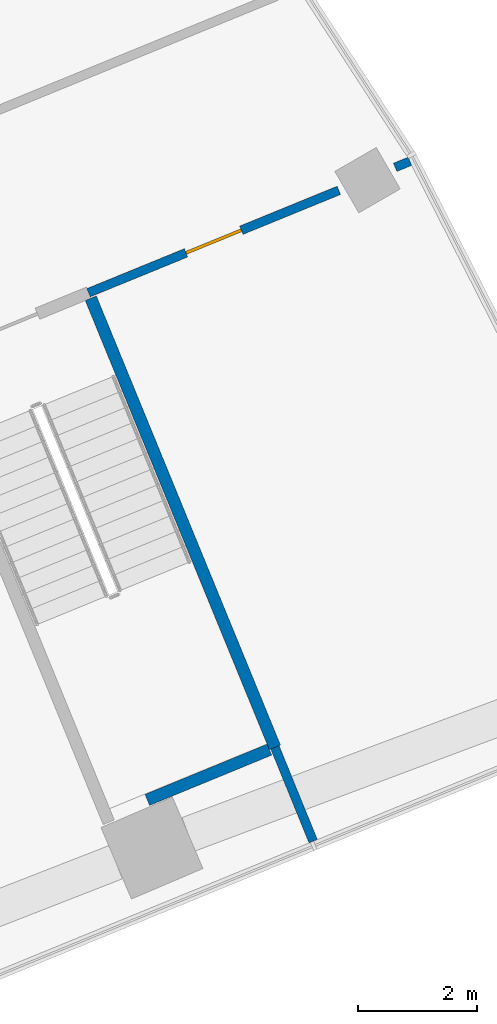
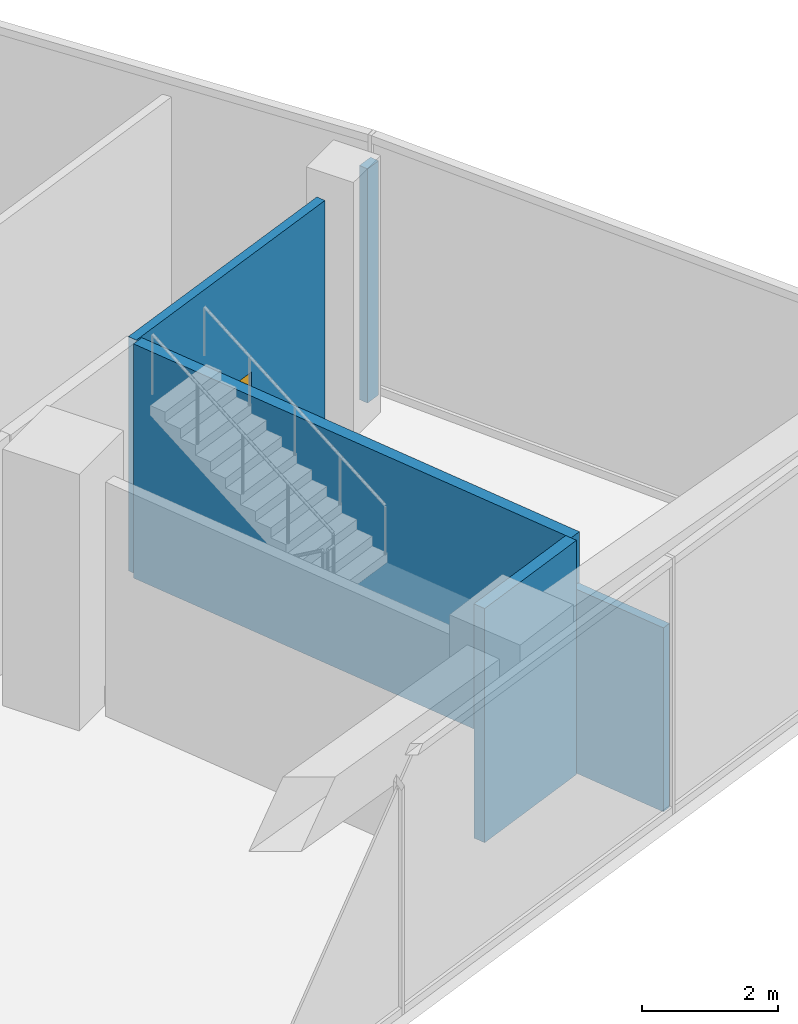
# One storey, part 30 of 40: 5 walls, 1 door, 1 opening.
"""IFC4 building model written with IfcOpenShell, lengths in metres."""

from ifc_helpers import new_model, si_unit, direction, frame, frame_2d, origin, place, context, subcontext, project, spatial, rectangle, extrude, material, layer, layer_set, type_object, element, fill, save


model = new_model("IFC4")

# Units and contexts
model_context = context("Model", 3, precision=1e-05, world=origin(), true_north=direction((0.0, 1.0)))
body_context = subcontext(model_context, "Body", "Model", "MODEL_VIEW")
ifc_project = project(units=[si_unit("LENGTHUNIT", "METRE"), si_unit("AREAUNIT", "SQUARE_METRE"), si_unit("VOLUMEUNIT", "CUBIC_METRE"), si_unit("PLANEANGLEUNIT", "RADIAN"), si_unit("MASSUNIT", "GRAM", prefix="KILO")], contexts=[model_context])

# Site, building, storey
site_placement = place(None, origin())
site = spatial("IfcSite", under=ifc_project, at=site_placement, CompositionType="ELEMENT")
building_placement = place(site_placement, origin())
building = spatial("IfcBuilding", under=site, at=building_placement, Name="Stone Belt Terrace Tower", CompositionType="ELEMENT")
storey_placement = place(building_placement, frame((0.0, 0.0, 11.60009765625)))
storey = spatial("IfcBuildingStorey", under=building, at=storey_placement, Name="L02", CompositionType="ELEMENT", Elevation=11.60009765625)

# Wall, opening, door
ifc_material_1 = material(Name="Gypsum board on steel stud partition", Category="steel")
ifc_layer_1 = layer(ifc_material_1, 0.14990234375)
ifc_layer_set_1 = layer_set([ifc_layer_1], Name="Podium partition 150")
wall_type_1 = type_object("IfcWallType", Name="Podium partition 150", PredefinedType="PARTITIONING", material=ifc_layer_set_1)
wall_1_placement = place(storey_placement, frame((59.18017578125, 34.97998046875, 0.0), z_axis=(0.0, 0.0, 1.0), x_axis=(0.925603654014, 0.378494221458, 0.0)))
wall_1 = element("IfcWall", 1, at=wall_1_placement, inside=storey, type_object=wall_type_1, Name="Podium partition 150", PredefinedType="PARTITIONING", context=body_context, shape_type="SweptSolid", body=[
    extrude(rectangle(XDim=4.526123046875, YDim=0.14990234375, at=frame_2d((2.26318359375, 0.0))), origin(), (0.0, 0.0, 1.0), 4.199951171875),
])
opening_placement = place(wall_1_placement, frame((1.76318359375, 0.0, 0.0)))
opening = element("IfcOpeningElement", 2, at=opening_placement, cuts=wall_1, Name="Opening L02-P21", PredefinedType="OPENING", context=body_context, shape_type="SweptSolid", body=[
    extrude(rectangle(XDim=1.0, YDim=2.10009765625, at=frame_2d((0.5, 1.050048828125))), frame((0.0, 0.0849609375, 0.0), z_axis=(0.0, -1.0, 0.0), x_axis=(1.0, 0.0, 0.0)), (0.0, 0.0, 1.0), 0.169921875),
])
ifc_material_2 = material(Name="Steel framed door leaf", Category="steel")
door_type = type_object("IfcDoorType", Name="Podium door single 1000", OperationType="SINGLE_SWING_LEFT", PredefinedType="DOOR", material=ifc_material_2)
door_placement = place(opening_placement, origin())
door = element("IfcDoor", 3, at=door_placement, inside=storey, type_object=door_type, Name="Podium door single 1000", OperationType="SINGLE_SWING_LEFT", OverallHeight=2.10009765625, OverallWidth=1.0, PredefinedType="DOOR", context=body_context, shape_type="SweptSolid", body=[
    extrude(rectangle(XDim=1.0, YDim=2.10009765625, at=frame_2d((0.5, 1.050048828125))), frame((0.0, 0.02490234375, 0.0), z_axis=(0.0, -1.0, 0.0), x_axis=(1.0, 0.0, 0.0)), (0.0, 0.0, 1.0), 0.050048828125),
])
fill(opening, door)

# Walls
wall_2_placement = place(storey_placement, frame((64.312744140625, 37.078857421875, 0.0), z_axis=(0.0, 0.0, 1.0), x_axis=(0.92567790555, 0.378312589238, 0.0)))
element("IfcWall", 4, at=wall_2_placement, inside=storey, type_object=wall_type_1, Name="Podium partition 150", PredefinedType="PARTITIONING", context=body_context, shape_type="SweptSolid", body=[
    extrude(rectangle(XDim=0.26708984375, YDim=0.14990234375, at=frame_2d((0.133544921875, 0.0))), origin(), (0.0, 0.0, 1.0), 4.199951171875),
])
wall_3_placement = place(storey_placement, frame((62.300048828125, 27.369873046875, 0.0), z_axis=(0.0, 0.0, 1.0), x_axis=(0.377466142262, -0.926023386015, 0.0)))
element("IfcWall", 5, at=wall_3_placement, inside=storey, type_object=wall_type_1, Name="Podium partition 150", PredefinedType="PARTITIONING", context=body_context, shape_type="SweptSolid", body=[
    extrude(rectangle(XDim=1.6953125, YDim=0.14990234375, at=frame_2d((0.84765625, 0.0))), origin(), (0.0, 0.0, 1.0), 3.2998046875),
])
ifc_material_3 = material(Name="Concrete B30", Category="concrete")
ifc_layer_2 = layer(ifc_material_3, 0.199951171875)
ifc_layer_set_2 = layer_set([ifc_layer_2], Name="Podium stair and shaft wall 200")
wall_type_2 = type_object("IfcWallType", Name="Podium stair and shaft wall 200", PredefinedType="SOLIDWALL", material=ifc_layer_set_2)
wall_4_placement = place(storey_placement, frame((59.218017578125, 34.887451171875, 0.0), z_axis=(0.0, 0.0, 1.0), x_axis=(0.379345306329, -0.925255174839, 0.0)))
element("IfcWall", 6, at=wall_4_placement, inside=storey, type_object=wall_type_2, Name="Podium stair and shaft wall 200", PredefinedType="SOLIDWALL", context=body_context, shape_type="SweptSolid", body=[
    extrude(rectangle(XDim=8.12451171875, YDim=0.199951171875, at=frame_2d((4.062255859375, 0.0))), origin(), (0.0, 0.0, 1.0), 4.199951171875),
])
wall_5_placement = place(storey_placement, frame((60.163818359375, 26.4912109375, 0.0), z_axis=(0.0, 0.0, 1.0), x_axis=(0.924790168115, 0.380477522278, 0.0)))
element("IfcWall", 7, at=wall_5_placement, inside=storey, type_object=wall_type_2, Name="Podium stair and shaft wall 200", PredefinedType="SOLIDWALL", context=body_context, shape_type="SweptSolid", body=[
    extrude(rectangle(XDim=2.2099609375, YDim=0.199951171875, at=frame_2d((1.10498046875, 0.0))), origin(), (0.0, 0.0, 1.0), 4.199951171875),
])

save(model, "model.ifc")
